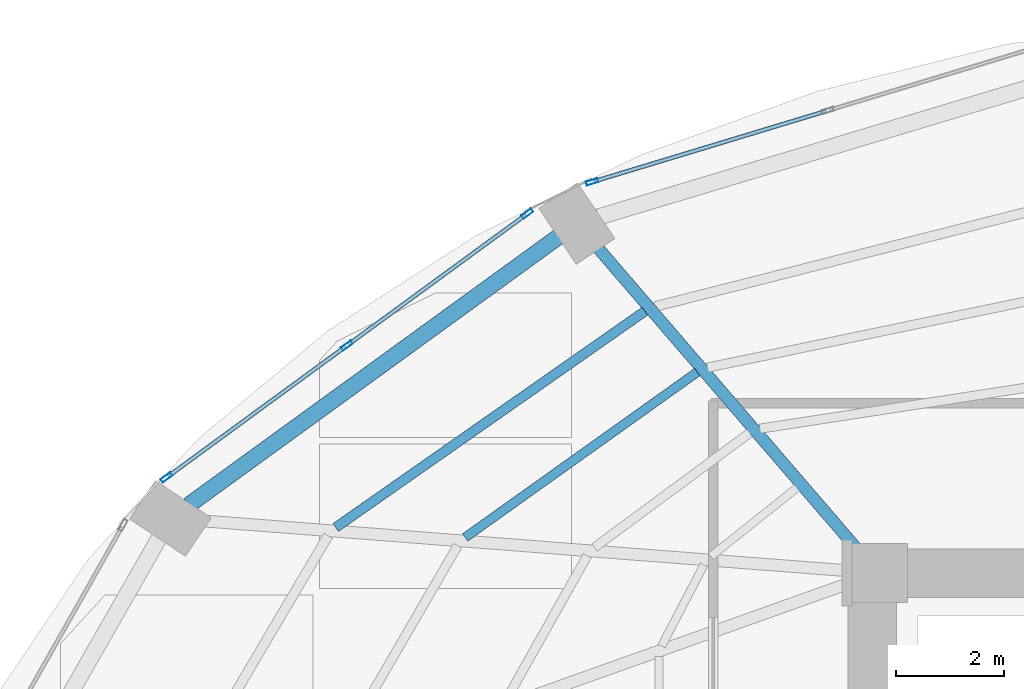
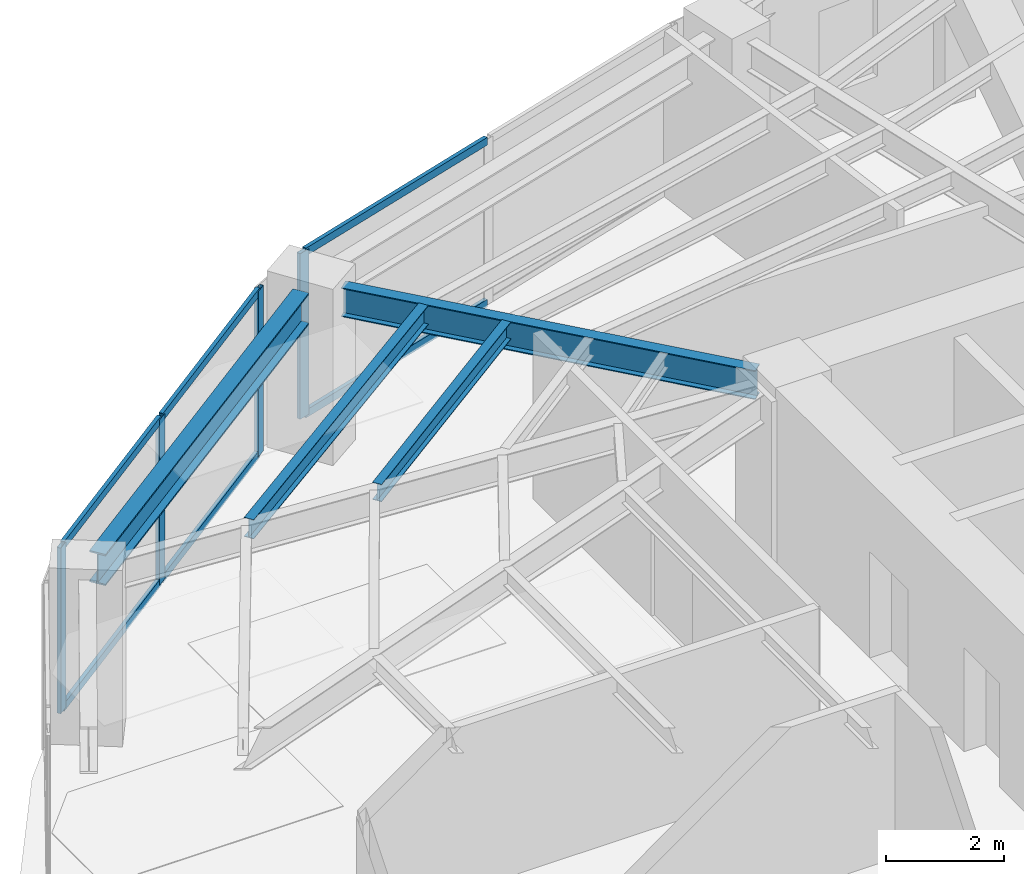
# One storey, part 13 of 24: 10 members, 4 beams, 2 elements without a shape of their own.
"""IFC4 building model written with IfcOpenShell, lengths in metres."""

from ifc_helpers import new_model, si_unit, direction, frame, origin, origin_2d, place, context, subcontext, project, spatial, hollow_rectangle, i_section, extrude, material, layer, layer_set, material_profile, profile_set, type_object, element, aggregate, save


model = new_model("IFC4")

# Units and contexts
model_context = context("Model", 3, precision=1e-05, world=origin(), true_north=direction((0.0, 1.0)))
body_context = subcontext(model_context, "Body", "Model", "MODEL_VIEW")
ifc_project = project(units=[si_unit("LENGTHUNIT", "METRE"), si_unit("AREAUNIT", "SQUARE_METRE"), si_unit("VOLUMEUNIT", "CUBIC_METRE"), si_unit("PLANEANGLEUNIT", "RADIAN"), si_unit("MASSUNIT", "GRAM", prefix="KILO")], contexts=[model_context])

# Site, building, storey
site_placement = place(None, origin())
site = spatial("IfcSite", under=ifc_project, at=site_placement, CompositionType="ELEMENT")
building_placement = place(site_placement, origin())
building = spatial("IfcBuilding", under=site, at=building_placement, Name="Lazwardi Medical Tower", CompositionType="ELEMENT")
storey_placement = place(building_placement, frame((0.0, 0.0, 68.97607421875)))
storey = spatial("IfcBuildingStorey", under=building, at=storey_placement, Name="L17", CompositionType="ELEMENT", Elevation=68.97607421875)

# Beams
ifc_material_1 = material(Name="Steel S355", Category="steel")
ifc_material_profile_1 = material_profile(ifc_material_1, i_section(OverallWidth=0.300048828125, OverallDepth=0.64990234375, WebThickness=0.01611328125, FlangeThickness=0.031005859375, at=origin_2d()), Name="HEB 650")
ifc_profile_set_1 = profile_set([ifc_material_profile_1], Name="Steel S355")
beam_type_1 = type_object("IfcBeamType", Name="BM-RB-Z1", PredefinedType="BEAM", material=ifc_profile_set_1)
beam_1_placement = place(storey_placement, frame((20.47900390625, 41.83740234375, 3.10302734375), z_axis=(-0.80939338516, -0.5872668457, 0.0), x_axis=(0.5872668457, -0.80939338516, 0.0)))
element("IfcBeam", 1, at=beam_1_placement, inside=storey, type_object=beam_type_1, Name="Ring beam RB-02 B10 L17", PredefinedType="BEAM", context=body_context, shape_type="SweptSolid", body=[
    extrude(i_section(OverallWidth=0.300048828125, OverallDepth=0.64990234375, WebThickness=0.01611328125, FlangeThickness=0.031005859375, at=origin_2d()), origin(), (0.0, 0.0, 1.0), 8.47412109375),
])
ifc_material_profile_2 = material_profile(ifc_material_1, i_section(OverallWidth=0.219970703125, OverallDepth=0.60009765625, WebThickness=0.011962890625, FlangeThickness=0.01904296875, at=origin_2d()), Name="IPE 600")
ifc_profile_set_2 = profile_set([ifc_material_profile_2], Name="Steel S355")
beam_type_2 = type_object("IfcBeamType", Name="BM-RG-W1", PredefinedType="BEAM", material=ifc_profile_set_2)
beam_2_placement = place(storey_placement, frame((21.197509765625, 41.644287109375, 3.1279296875), z_axis=(0.652368190463, -0.757902199543, 0.0), x_axis=(0.757902199543, 0.652368190463, 0.0)))
element("IfcBeam", 2, at=beam_2_placement, inside=storey, type_object=beam_type_2, Name="Radial girder RG-02 R10 L17", PredefinedType="BEAM", context=body_context, shape_type="SweptSolid", body=[
    extrude(i_section(OverallWidth=0.219970703125, OverallDepth=0.60009765625, WebThickness=0.011962890625, FlangeThickness=0.01904296875, at=origin_2d()), origin(), (0.0, 0.0, 1.0), 7.43994140625),
])
ifc_material_profile_3 = material_profile(ifc_material_1, i_section(OverallWidth=0.179931640625, OverallDepth=0.39990234375, WebThickness=0.008544921875, FlangeThickness=0.013427734375, at=origin_2d()), Name="IPE 400")
ifc_profile_set_3 = profile_set([ifc_material_profile_3], Name="Steel S355")
beam_type_3 = type_object("IfcBeamType", Name="BM-SJ-01", PredefinedType="JOIST", material=ifc_profile_set_3)
beam_3_placement = place(storey_placement, frame((22.08203125, 40.456298828125, 3.22802734375), z_axis=(-0.81942522483, -0.573186096231, 0.0), x_axis=(0.573186096231, -0.81942522483, 0.0)))
element("IfcBeam", 3, at=beam_3_placement, inside=storey, type_object=beam_type_3, Name="Secondary joist SJ-01 R1 B10 L17", PredefinedType="JOIST", context=body_context, shape_type="SweptSolid", body=[
    extrude(i_section(OverallWidth=0.179931640625, OverallDepth=0.39990234375, WebThickness=0.008544921875, FlangeThickness=0.013427734375, at=origin_2d()), origin(), (0.0, 0.0, 1.0), 6.999755859375),
])
ifc_material_profile_4 = material_profile(ifc_material_1, i_section(OverallWidth=0.169921875, OverallDepth=0.360107421875, WebThickness=0.008056640625, FlangeThickness=0.0126953125, at=origin_2d()), Name="IPE 360")
ifc_profile_set_4 = profile_set([ifc_material_profile_4], Name="Steel S355")
beam_type_4 = type_object("IfcBeamType", Name="BM-SJ-02", PredefinedType="JOIST", material=ifc_profile_set_4)
beam_4_placement = place(storey_placement, frame((23.05322265625, 39.327880859375, 3.248046875), z_axis=(-0.814341377136, -0.580386183058, 0.0), x_axis=(0.580386183058, -0.814341377136, 0.0)))
element("IfcBeam", 4, at=beam_4_placement, inside=storey, type_object=beam_type_4, Name="Secondary joist SJ-02 R2 B10 L17", PredefinedType="JOIST", context=body_context, shape_type="SweptSolid", body=[
    extrude(i_section(OverallWidth=0.169921875, OverallDepth=0.360107421875, WebThickness=0.008056640625, FlangeThickness=0.0126953125, at=origin_2d()), origin(), (0.0, 0.0, 1.0), 5.28759765625),
])

# Curtain wall, member
ifc_material_2 = material(Name="Anodised bronze aluminium and solar control glazing", Category="aluminium")
ifc_layer = layer(ifc_material_2, 0.199951171875)
ifc_layer_set = layer_set([ifc_layer], Name="Anodised bronze aluminium and solar control glazing")
curtain_wall_type = type_object("IfcCurtainWallType", Name="CW-SYS-02", PredefinedType="NOTDEFINED", material=ifc_layer_set)
curtain_wall_1_placement = place(storey_placement, origin())
curtain_wall_1 = element("IfcCurtainWall", 5, at=curtain_wall_1_placement, inside=storey, type_object=curtain_wall_type, Name="L17 Unitised bronze curtain wall CW-02", PredefinedType="NOTDEFINED")
ifc_material_3 = material(Name="Anodised bronze aluminium", Category="aluminium")
ifc_material_profile_5 = material_profile(ifc_material_3, hollow_rectangle(XDim=0.074951171875, YDim=0.219970703125, WallThickness=0.00390625, at=origin_2d()), Name="ALU-MULLION 220x75x4")
ifc_profile_set_5 = profile_set([ifc_material_profile_5], Name="Anodised bronze aluminium")
member_type_1 = type_object("IfcMemberType", Name="CW-MUL-01", PredefinedType="MULLION", material=ifc_profile_set_5)
member_1_placement = place(storey_placement, frame((21.1015625, 42.853271484375, 0.0), z_axis=(0.0, 0.0, 1.0), x_axis=(0.2898956909, -0.957058247129, 0.0)))
member_1 = element("IfcMember", 6, at=member_1_placement, type_object=member_type_1, Name="CW-02 mullion 3", PredefinedType="MULLION", context=body_context, shape_type="SweptSolid", body=[
    extrude(hollow_rectangle(XDim=0.074951171875, YDim=0.219970703125, WallThickness=0.00390625, at=origin_2d()), origin(), (0.0, 0.0, 1.0), 3.427978515625),
])

# Curtain wall, members
curtain_wall_2_placement = place(storey_placement, origin())
curtain_wall_2 = element("IfcCurtainWall", 7, at=curtain_wall_2_placement, inside=storey, type_object=curtain_wall_type, Name="L17 Unitised bronze curtain wall CW-02", PredefinedType="NOTDEFINED")
member_2_placement = place(storey_placement, frame((19.9013671875, 42.26611328125, 0.0), z_axis=(0.0, 0.0, 1.0), x_axis=(0.590289307341, -0.807191757663, 0.0)))
member_2 = element("IfcMember", 8, at=member_2_placement, type_object=member_type_1, Name="CW-02 mullion 1", PredefinedType="MULLION", context=body_context, shape_type="SweptSolid", body=[
    extrude(hollow_rectangle(XDim=0.074951171875, YDim=0.219970703125, WallThickness=0.00390625, at=origin_2d()), origin(), (0.0, 0.0, 1.0), 3.427978515625),
])
member_3_placement = place(storey_placement, frame((16.5556640625, 39.8193359375, 0.0), z_axis=(0.0, 0.0, 1.0), x_axis=(0.590289307341, -0.807191757663, 0.0)))
member_3 = element("IfcMember", 9, at=member_3_placement, type_object=member_type_1, Name="CW-02 mullion 2", PredefinedType="MULLION", context=body_context, shape_type="SweptSolid", body=[
    extrude(hollow_rectangle(XDim=0.074951171875, YDim=0.219970703125, WallThickness=0.00390625, at=origin_2d()), origin(), (0.0, 0.0, 1.0), 3.427978515625),
])
member_4_placement = place(storey_placement, frame((13.209716796875, 37.37255859375, 0.0), z_axis=(0.0, 0.0, 1.0), x_axis=(0.590289307341, -0.807191757663, 0.0)))
member_4 = element("IfcMember", 10, at=member_4_placement, type_object=member_type_1, Name="CW-02 mullion 3", PredefinedType="MULLION", context=body_context, shape_type="SweptSolid", body=[
    extrude(hollow_rectangle(XDim=0.074951171875, YDim=0.219970703125, WallThickness=0.00390625, at=origin_2d()), origin(), (0.0, 0.0, 1.0), 3.427978515625),
])

# Member
ifc_material_profile_6 = material_profile(ifc_material_3, hollow_rectangle(XDim=0.074951171875, YDim=0.159912109375, WallThickness=0.00390625, at=origin_2d()), Name="ALU-TRANSOM 160x75x4")
ifc_profile_set_6 = profile_set([ifc_material_profile_6], Name="Anodised bronze aluminium")
member_type_2 = type_object("IfcMemberType", Name="CW-TRN-01", PredefinedType="USERDEFINED", material=ifc_profile_set_6)
member_5_placement = place(storey_placement, frame((25.44091796875, 44.16748046875, 0.037353515625), z_axis=(-0.957062297904, -0.289882317383, 0.0), x_axis=(0.289882317383, -0.957062297904, 0.0)))
member_5 = element("IfcMember", 11, at=member_5_placement, type_object=member_type_2, Name="CW-02 transom 2.1", ObjectType="TRANSOM", PredefinedType="USERDEFINED", context=body_context, shape_type="SweptSolid", body=[
    extrude(hollow_rectangle(XDim=0.074951171875, YDim=0.159912109375, WallThickness=0.00390625, at=origin_2d()), origin(), (0.0, 0.0, 1.0), 4.49658203125),
])

member_6_placement = place(storey_placement, frame((25.44091796875, 44.16748046875, 3.390380859375), z_axis=(-0.957062297904, -0.289882317383, 0.0), x_axis=(0.289882317383, -0.957062297904, 0.0)))
member_6 = element("IfcMember", 12, at=member_6_placement, type_object=member_type_2, Name="CW-02 transom 2.2", ObjectType="TRANSOM", PredefinedType="USERDEFINED", context=body_context, shape_type="SweptSolid", body=[
    extrude(hollow_rectangle(XDim=0.074951171875, YDim=0.159912109375, WallThickness=0.00390625, at=origin_2d()), origin(), (0.0, 0.0, 1.0), 4.49658203125),
])

aggregate(curtain_wall_1, [member_1, member_5, member_6])

member_7_placement = place(storey_placement, frame((19.87109375, 42.243896484375, 0.037353515625), z_axis=(-0.807197636578, -0.590281268128, 0.0), x_axis=(0.590281268128, -0.807197636578, 0.0)))
member_7 = element("IfcMember", 13, at=member_7_placement, type_object=member_type_2, Name="CW-02 transom 1.1", ObjectType="TRANSOM", PredefinedType="USERDEFINED", context=body_context, shape_type="SweptSolid", body=[
    extrude(hollow_rectangle(XDim=0.074951171875, YDim=0.159912109375, WallThickness=0.00390625, at=origin_2d()), origin(), (0.0, 0.0, 1.0), 4.06982421875),
])

member_8_placement = place(storey_placement, frame((19.87109375, 42.243896484375, 3.390380859375), z_axis=(-0.807197636578, -0.590281268128, 0.0), x_axis=(0.590281268128, -0.807197636578, 0.0)))
member_8 = element("IfcMember", 14, at=member_8_placement, type_object=member_type_2, Name="CW-02 transom 1.2", ObjectType="TRANSOM", PredefinedType="USERDEFINED", context=body_context, shape_type="SweptSolid", body=[
    extrude(hollow_rectangle(XDim=0.074951171875, YDim=0.159912109375, WallThickness=0.00390625, at=origin_2d()), origin(), (0.0, 0.0, 1.0), 4.06982421875),
])

member_9_placement = place(storey_placement, frame((16.525390625, 39.797119140625, 0.037353515625), z_axis=(-0.807218536774, -0.590252686472, 0.0), x_axis=(0.590252686472, -0.807218536774, 0.0)))
member_9 = element("IfcMember", 15, at=member_9_placement, type_object=member_type_2, Name="CW-02 transom 2.1", ObjectType="TRANSOM", PredefinedType="USERDEFINED", context=body_context, shape_type="SweptSolid", body=[
    extrude(hollow_rectangle(XDim=0.074951171875, YDim=0.159912109375, WallThickness=0.00390625, at=origin_2d()), origin(), (0.0, 0.0, 1.0), 4.070068359375),
])

member_10_placement = place(storey_placement, frame((16.525390625, 39.797119140625, 3.390380859375), z_axis=(-0.807218536774, -0.590252686472, 0.0), x_axis=(0.590252686472, -0.807218536774, 0.0)))
member_10 = element("IfcMember", 16, at=member_10_placement, type_object=member_type_2, Name="CW-02 transom 2.2", ObjectType="TRANSOM", PredefinedType="USERDEFINED", context=body_context, shape_type="SweptSolid", body=[
    extrude(hollow_rectangle(XDim=0.074951171875, YDim=0.159912109375, WallThickness=0.00390625, at=origin_2d()), origin(), (0.0, 0.0, 1.0), 4.070068359375),
])

aggregate(curtain_wall_2, [member_2, member_3, member_4, member_7, member_8, member_9, member_10])

save(model, "model.ifc")
